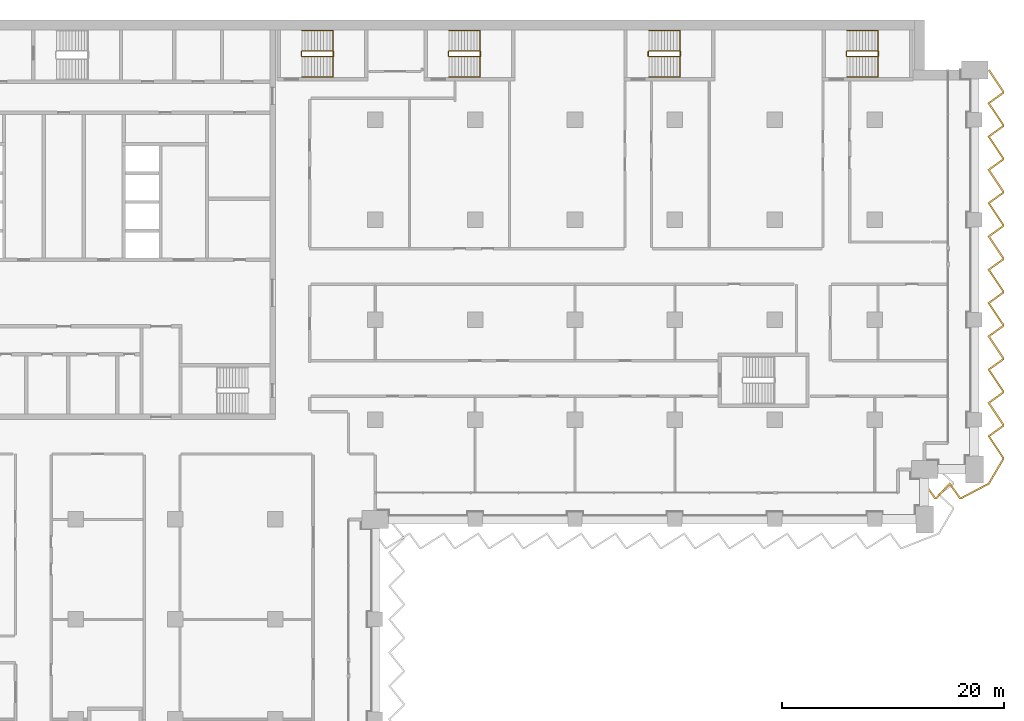
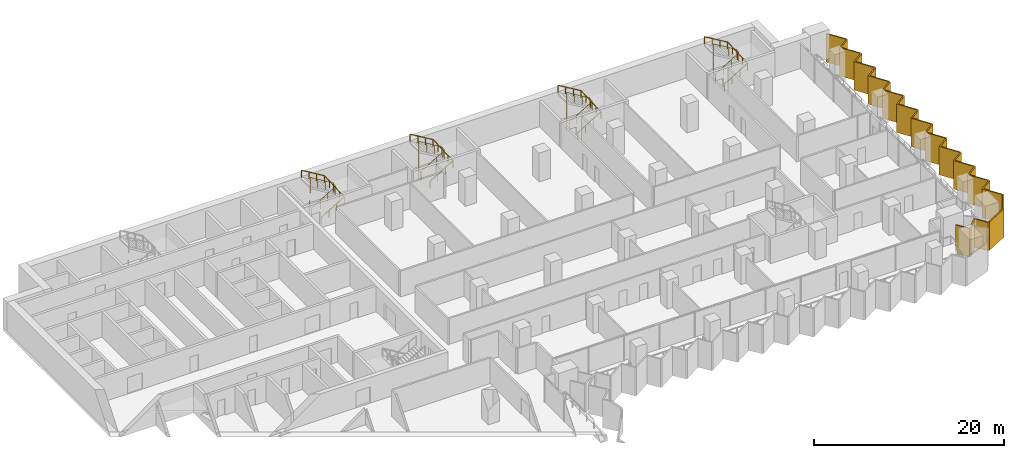
# One storey, part 27 of 28: 8 railings, 1 shading device.
"""IFC4 building model written with IfcOpenShell, lengths in metres."""

from ifc_helpers import new_model, si_unit, direction, frame, origin, origin_2d, place, context, subcontext, project, spatial, polyline, circle, outline, extrude, material, layer, layer_set, type_object, element, save


model = new_model("IFC4")

# Units and contexts
model_context = context("Model", 3, precision=1e-05, world=origin(), true_north=direction((0.0, 1.0)))
body_context = subcontext(model_context, "Body", "Model", "MODEL_VIEW")
ifc_project = project(units=[si_unit("LENGTHUNIT", "METRE"), si_unit("AREAUNIT", "SQUARE_METRE"), si_unit("VOLUMEUNIT", "CUBIC_METRE"), si_unit("PLANEANGLEUNIT", "RADIAN"), si_unit("MASSUNIT", "GRAM", prefix="KILO")], contexts=[model_context])

# Site, building, storey
site_placement = place(None, origin())
site = spatial("IfcSite", under=ifc_project, at=site_placement, CompositionType="ELEMENT")
building_placement = place(site_placement, origin())
building = spatial("IfcBuilding", under=site, at=building_placement, Name="Hunhe Ridgeline Campus", CompositionType="ELEMENT")
storey_placement = place(building_placement, frame((0.0, 0.0, 72.800048828125)))
storey = spatial("IfcBuildingStorey", under=building, at=storey_placement, Name="L17", CompositionType="ELEMENT", Elevation=72.800048828125)

# Shading device
ifc_material_1 = material(Name="Concrete C50", Category="concrete")
ifc_layer = layer(ifc_material_1, 0.14990234375)
ifc_layer_set = layer_set([ifc_layer], Name="Sawtooth concrete fin 150 Concrete C50")
shading_device_type = type_object("IfcShadingDeviceType", Name="Sawtooth concrete fin 150 Concrete C50", PredefinedType="USERDEFINED", material=ifc_layer_set)
shading_device_placement = place(storey_placement, frame((0.0, 0.0, -0.949951171875)))
element("IfcShadingDevice", 1, at=shading_device_placement, inside=storey, type_object=shading_device_type, Name="Concrete fin screen 3", ObjectType="FIN", PredefinedType="USERDEFINED", context=body_context, shape_type="SweptSolid", body=[
    extrude(outline(polyline([(94.560791015625, 57.268798828125), (94.439208984375, 57.18115234375), (95.396484375, 55.85009765625), (95.587890625, 55.85009765625), (96.742919921875, 57.1064453125), (97.646484375, 55.85009765625), (97.823486328125, 55.85009765625), (100.328857421875, 57.16845703125), (101.64990234375, 59.41455078125), (101.64990234375, 59.577880859375), (100.377685546875, 61.4814453125), (101.64990234375, 62.396484375), (101.64990234375, 62.577880859375), (100.377685546875, 64.4814453125), (101.64990234375, 65.396484375), (101.64990234375, 65.577880859375), (100.377685546875, 67.4814453125), (101.64990234375, 68.396484375), (101.64990234375, 68.577880859375), (100.377685546875, 70.4814453125), (101.64990234375, 71.396484375), (101.64990234375, 71.577880859375), (100.377685546875, 73.4814453125), (101.64990234375, 74.396484375), (101.64990234375, 74.577880859375), (100.377685546875, 76.4814453125), (101.64990234375, 77.396484375), (101.64990234375, 77.577880859375), (100.377685546875, 79.4814453125), (101.64990234375, 80.396484375), (101.64990234375, 80.577880859375), (100.377685546875, 82.4814453125), (101.64990234375, 83.396484375), (101.64990234375, 83.577880859375), (100.377685546875, 85.4814453125), (101.64990234375, 86.396484375), (101.64990234375, 86.577880859375), (100.377685546875, 88.4814453125), (101.64990234375, 89.396484375), (101.64990234375, 89.577880859375), (100.377685546875, 91.4814453125), (101.64990234375, 92.396484375), (101.64990234375, 92.577880859375), (100.33740234375, 94.541748046875), (100.212646484375, 94.458251953125), (101.5, 92.5322265625), (101.5, 92.473388671875), (100.17236328125, 91.5185546875), (101.5, 89.5322265625), (101.5, 89.473388671875), (100.17236328125, 88.5185546875), (101.5, 86.5322265625), (101.5, 86.473388671875), (100.17236328125, 85.5185546875), (101.5, 83.5322265625), (101.5, 83.473388671875), (100.17236328125, 82.5185546875), (101.5, 80.5322265625), (101.5, 80.473388671875), (100.17236328125, 79.5185546875), (101.5, 77.5322265625), (101.5, 77.473388671875), (100.17236328125, 76.5185546875), (101.5, 74.5322265625), (101.5, 74.473388671875), (100.17236328125, 73.5185546875), (101.5, 71.5322265625), (101.5, 71.473388671875), (100.17236328125, 70.5185546875), (101.5, 68.5322265625), (101.5, 68.473388671875), (100.17236328125, 67.5185546875), (101.5, 65.5322265625), (101.5, 65.473388671875), (100.17236328125, 64.5185546875), (101.5, 62.5322265625), (101.5, 62.473388671875), (100.17236328125, 61.5185546875), (101.5, 59.5322265625), (101.5, 59.455322265625), (100.22119140625, 57.281494140625), (97.786376953125, 56.0), (97.723388671875, 56.0), (96.757080078125, 57.343505859375), (95.52197265625, 56.0), (95.473388671875, 56.0), (94.560791015625, 57.268798828125)])), origin(), (0.0, 0.0, 1.0), 3.64990234375),
])

# Railings
ifc_material_2 = material(Name="Stainless steel balustrade", Category="steel")
railing_type_1 = type_object("IfcRailingType", Name="Stair guard 1100 stainless", PredefinedType="GUARDRAIL", material=ifc_material_2)
railing_1_placement = place(storey_placement, frame((38.39990234375, 95.699951171875, 0.168212890625)))
element("IfcRailing", 2, at=railing_1_placement, inside=storey, type_object=railing_type_1, Name="L17 stair E1 guard", PredefinedType="GUARDRAIL", context=body_context, shape_type="SweptSolid", body=[
    extrude(circle(Radius=0.02392578125, at=origin_2d()), frame((0.0, 0.0, 1.076171875), z_axis=(0.857275202839, 0.0, 0.514858452973), x_axis=(0.0, 1.0, 0.0)), (0.0, 0.0, 1.0), 3.26611328125),
    extrude(circle(Radius=0.02392578125, at=origin_2d()), frame((2.800048828125, 0.0, 2.7578125), z_axis=(0.707106781187, 0.707106781187, 0.0), x_axis=(-0.707106781187, 0.707106781187, 0.0)), (0.0, 0.0, 1.0), 0.07080078125),
    extrude(circle(Radius=0.02392578125, at=origin_2d()), frame((2.85009765625, 0.050048828125, 2.7578125), z_axis=(0.0, 1.0, 0.0), x_axis=(-1.0, 0.0, 0.0)), (0.0, 0.0, 1.0), 0.39990234375),
    extrude(circle(Radius=0.02392578125, at=origin_2d()), frame((2.85009765625, 0.449951171875, 2.7578125), z_axis=(-0.274243871929, 0.274243871929, 0.92172696468), x_axis=(-0.707106781187, -0.707106781187, 0.0)), (0.0, 0.0, 1.0), 0.1826171875),
    extrude(circle(Radius=0.02392578125, at=origin_2d()), frame((2.800048828125, 0.5, 2.92578125), z_axis=(-0.857242210791, 0.0, 0.514913383045), x_axis=(0.0, -1.0, 0.0)), (0.0, 0.0, 1.0), 3.266357421875),
    extrude(circle(Radius=0.02392578125, at=origin_2d()), frame((0.0, 0.5, 4.60791015625), z_axis=(-0.013458453615, -0.013524426427, -0.999817963389), x_axis=(0.708833529934, -0.705375805398, 0.0)), (0.0, 0.0, 1.0), 3.70068359375),
    extrude(circle(Radius=0.02392578125, at=origin_2d()), frame((-0.0498046875, 0.449951171875, 0.90771484375), z_axis=(0.0, -1.0, 0.0), x_axis=(1.0, 0.0, 0.0)), (0.0, 0.0, 1.0), 0.39990234375),
    extrude(circle(Radius=0.02099609375, at=origin_2d()), origin(), (0.0, 0.0, 1.0), 1.052001953125),
    extrude(circle(Radius=0.02099609375, at=origin_2d()), frame((0.933349609375, 0.0, 0.560546875)), (0.0, 0.0, 1.0), 1.052001953125),
    extrude(circle(Radius=0.02099609375, at=origin_2d()), frame((1.86669921875, 0.0, 1.12109375)), (0.0, 0.0, 1.0), 1.052001953125),
    extrude(circle(Radius=0.02099609375, at=origin_2d()), frame((2.800048828125, 0.0, 1.681640625)), (0.0, 0.0, 1.0), 1.052001953125),
    extrude(circle(Radius=0.02099609375, at=origin_2d()), frame((2.85009765625, 0.050048828125, 1.681640625)), (0.0, 0.0, 1.0), 1.052001953125),
    extrude(circle(Radius=0.02099609375, at=origin_2d()), frame((2.85009765625, 0.449951171875, 1.681640625)), (0.0, 0.0, 1.0), 1.052001953125),
    extrude(circle(Radius=0.02099609375, at=origin_2d()), frame((2.800048828125, 0.5, 1.849853515625)), (0.0, 0.0, 1.0), 1.052001953125),
    extrude(circle(Radius=0.02099609375, at=origin_2d()), frame((1.86669921875, 0.5, 2.410400390625)), (0.0, 0.0, 1.0), 1.052001953125),
    extrude(circle(Radius=0.02099609375, at=origin_2d()), frame((0.933349609375, 0.5, 2.97119140625)), (0.0, 0.0, 1.0), 1.052001953125),
    extrude(circle(Radius=0.02099609375, at=origin_2d()), frame((0.0, 0.5, 3.53173828125)), (0.0, 0.0, 1.0), 1.052001953125),
    extrude(circle(Radius=0.02099609375, at=origin_2d()), frame((-0.012451171875, 0.487548828125, 2.606689453125)), (0.0, 0.0, 1.0), 1.052001953125),
    extrude(circle(Radius=0.02099609375, at=origin_2d()), frame((-0.02490234375, 0.47509765625, 1.681640625)), (0.0, 0.0, 1.0), 1.052001953125),
    extrude(circle(Radius=0.02099609375, at=origin_2d()), frame((-0.037353515625, 0.46240234375, 0.7568359375)), (0.0, 0.0, 1.0), 1.052001953125),
    extrude(circle(Radius=0.02099609375, at=origin_2d()), frame((-0.0498046875, 0.449951171875, -0.168212890625)), (0.0, 0.0, 1.0), 1.052001953125),
    extrude(circle(Radius=0.02099609375, at=origin_2d()), frame((-0.0498046875, 0.050048828125, -0.168212890625)), (0.0, 0.0, 1.0), 1.052001953125),
])
railing_2_placement = place(storey_placement, frame((51.64990234375, 95.699951171875, 0.168212890625)))
element("IfcRailing", 3, at=railing_2_placement, inside=storey, type_object=railing_type_1, Name="L17 stair E2 guard", PredefinedType="GUARDRAIL", context=body_context, shape_type="SweptSolid", body=[
    extrude(circle(Radius=0.02392578125, at=origin_2d()), frame((0.0, 0.0, 1.076171875), z_axis=(0.857275202839, 0.0, 0.514858452973), x_axis=(0.0, 1.0, 0.0)), (0.0, 0.0, 1.0), 3.26611328125),
    extrude(circle(Radius=0.02392578125, at=origin_2d()), frame((2.800048828125, 0.0, 2.7578125), z_axis=(0.707106781187, 0.707106781187, 0.0), x_axis=(-0.707106781187, 0.707106781187, 0.0)), (0.0, 0.0, 1.0), 0.07080078125),
    extrude(circle(Radius=0.02392578125, at=origin_2d()), frame((2.85009765625, 0.050048828125, 2.7578125), z_axis=(0.0, 1.0, 0.0), x_axis=(-1.0, 0.0, 0.0)), (0.0, 0.0, 1.0), 0.39990234375),
    extrude(circle(Radius=0.02392578125, at=origin_2d()), frame((2.85009765625, 0.449951171875, 2.7578125), z_axis=(-0.274243871929, 0.274243871929, 0.92172696468), x_axis=(-0.707106781187, -0.707106781187, 0.0)), (0.0, 0.0, 1.0), 0.1826171875),
    extrude(circle(Radius=0.02392578125, at=origin_2d()), frame((2.800048828125, 0.5, 2.92578125), z_axis=(-0.857242210791, 0.0, 0.514913383045), x_axis=(0.0, -1.0, 0.0)), (0.0, 0.0, 1.0), 3.266357421875),
    extrude(circle(Radius=0.02392578125, at=origin_2d()), frame((0.0, 0.5, 4.60791015625), z_axis=(-0.013458453615, -0.013524426427, -0.999817963389), x_axis=(0.708833529934, -0.705375805398, 0.0)), (0.0, 0.0, 1.0), 3.70068359375),
    extrude(circle(Radius=0.02392578125, at=origin_2d()), frame((-0.0498046875, 0.449951171875, 0.90771484375), z_axis=(0.0, -1.0, 0.0), x_axis=(1.0, 0.0, 0.0)), (0.0, 0.0, 1.0), 0.39990234375),
    extrude(circle(Radius=0.02099609375, at=origin_2d()), origin(), (0.0, 0.0, 1.0), 1.052001953125),
    extrude(circle(Radius=0.02099609375, at=origin_2d()), frame((0.933349609375, 0.0, 0.560546875)), (0.0, 0.0, 1.0), 1.052001953125),
    extrude(circle(Radius=0.02099609375, at=origin_2d()), frame((1.86669921875, 0.0, 1.12109375)), (0.0, 0.0, 1.0), 1.052001953125),
    extrude(circle(Radius=0.02099609375, at=origin_2d()), frame((2.800048828125, 0.0, 1.681640625)), (0.0, 0.0, 1.0), 1.052001953125),
    extrude(circle(Radius=0.02099609375, at=origin_2d()), frame((2.85009765625, 0.050048828125, 1.681640625)), (0.0, 0.0, 1.0), 1.052001953125),
    extrude(circle(Radius=0.02099609375, at=origin_2d()), frame((2.85009765625, 0.449951171875, 1.681640625)), (0.0, 0.0, 1.0), 1.052001953125),
    extrude(circle(Radius=0.02099609375, at=origin_2d()), frame((2.800048828125, 0.5, 1.849853515625)), (0.0, 0.0, 1.0), 1.052001953125),
    extrude(circle(Radius=0.02099609375, at=origin_2d()), frame((1.86669921875, 0.5, 2.410400390625)), (0.0, 0.0, 1.0), 1.052001953125),
    extrude(circle(Radius=0.02099609375, at=origin_2d()), frame((0.933349609375, 0.5, 2.97119140625)), (0.0, 0.0, 1.0), 1.052001953125),
    extrude(circle(Radius=0.02099609375, at=origin_2d()), frame((0.0, 0.5, 3.53173828125)), (0.0, 0.0, 1.0), 1.052001953125),
    extrude(circle(Radius=0.02099609375, at=origin_2d()), frame((-0.012451171875, 0.487548828125, 2.606689453125)), (0.0, 0.0, 1.0), 1.052001953125),
    extrude(circle(Radius=0.02099609375, at=origin_2d()), frame((-0.02490234375, 0.47509765625, 1.681640625)), (0.0, 0.0, 1.0), 1.052001953125),
    extrude(circle(Radius=0.02099609375, at=origin_2d()), frame((-0.037353515625, 0.46240234375, 0.7568359375)), (0.0, 0.0, 1.0), 1.052001953125),
    extrude(circle(Radius=0.02099609375, at=origin_2d()), frame((-0.0498046875, 0.449951171875, -0.168212890625)), (0.0, 0.0, 1.0), 1.052001953125),
    extrude(circle(Radius=0.02099609375, at=origin_2d()), frame((-0.0498046875, 0.050048828125, -0.168212890625)), (0.0, 0.0, 1.0), 1.052001953125),
])
railing_3_placement = place(storey_placement, frame((69.64990234375, 95.699951171875, 0.168212890625)))
element("IfcRailing", 4, at=railing_3_placement, inside=storey, type_object=railing_type_1, Name="L17 stair E3 guard", PredefinedType="GUARDRAIL", context=body_context, shape_type="SweptSolid", body=[
    extrude(circle(Radius=0.02392578125, at=origin_2d()), frame((0.0, 0.0, 1.076171875), z_axis=(0.857275202839, 0.0, 0.514858452973), x_axis=(0.0, 1.0, 0.0)), (0.0, 0.0, 1.0), 3.26611328125),
    extrude(circle(Radius=0.02392578125, at=origin_2d()), frame((2.800048828125, 0.0, 2.7578125), z_axis=(0.707106781187, 0.707106781187, 0.0), x_axis=(-0.707106781187, 0.707106781187, 0.0)), (0.0, 0.0, 1.0), 0.07080078125),
    extrude(circle(Radius=0.02392578125, at=origin_2d()), frame((2.85009765625, 0.050048828125, 2.7578125), z_axis=(0.0, 1.0, 0.0), x_axis=(-1.0, 0.0, 0.0)), (0.0, 0.0, 1.0), 0.39990234375),
    extrude(circle(Radius=0.02392578125, at=origin_2d()), frame((2.85009765625, 0.449951171875, 2.7578125), z_axis=(-0.274243871929, 0.274243871929, 0.92172696468), x_axis=(-0.707106781187, -0.707106781187, 0.0)), (0.0, 0.0, 1.0), 0.1826171875),
    extrude(circle(Radius=0.02392578125, at=origin_2d()), frame((2.800048828125, 0.5, 2.92578125), z_axis=(-0.857242210791, 0.0, 0.514913383045), x_axis=(0.0, -1.0, 0.0)), (0.0, 0.0, 1.0), 3.266357421875),
    extrude(circle(Radius=0.02392578125, at=origin_2d()), frame((0.0, 0.5, 4.60791015625), z_axis=(-0.013458453615, -0.013524426427, -0.999817963389), x_axis=(0.708833529934, -0.705375805398, 0.0)), (0.0, 0.0, 1.0), 3.70068359375),
    extrude(circle(Radius=0.02392578125, at=origin_2d()), frame((-0.0498046875, 0.449951171875, 0.90771484375), z_axis=(0.0, -1.0, 0.0), x_axis=(1.0, 0.0, 0.0)), (0.0, 0.0, 1.0), 0.39990234375),
    extrude(circle(Radius=0.02099609375, at=origin_2d()), origin(), (0.0, 0.0, 1.0), 1.052001953125),
    extrude(circle(Radius=0.02099609375, at=origin_2d()), frame((0.933349609375, 0.0, 0.560546875)), (0.0, 0.0, 1.0), 1.052001953125),
    extrude(circle(Radius=0.02099609375, at=origin_2d()), frame((1.86669921875, 0.0, 1.12109375)), (0.0, 0.0, 1.0), 1.052001953125),
    extrude(circle(Radius=0.02099609375, at=origin_2d()), frame((2.800048828125, 0.0, 1.681640625)), (0.0, 0.0, 1.0), 1.052001953125),
    extrude(circle(Radius=0.02099609375, at=origin_2d()), frame((2.85009765625, 0.050048828125, 1.681640625)), (0.0, 0.0, 1.0), 1.052001953125),
    extrude(circle(Radius=0.02099609375, at=origin_2d()), frame((2.85009765625, 0.449951171875, 1.681640625)), (0.0, 0.0, 1.0), 1.052001953125),
    extrude(circle(Radius=0.02099609375, at=origin_2d()), frame((2.800048828125, 0.5, 1.849853515625)), (0.0, 0.0, 1.0), 1.052001953125),
    extrude(circle(Radius=0.02099609375, at=origin_2d()), frame((1.86669921875, 0.5, 2.410400390625)), (0.0, 0.0, 1.0), 1.052001953125),
    extrude(circle(Radius=0.02099609375, at=origin_2d()), frame((0.933349609375, 0.5, 2.97119140625)), (0.0, 0.0, 1.0), 1.052001953125),
    extrude(circle(Radius=0.02099609375, at=origin_2d()), frame((0.0, 0.5, 3.53173828125)), (0.0, 0.0, 1.0), 1.052001953125),
    extrude(circle(Radius=0.02099609375, at=origin_2d()), frame((-0.012451171875, 0.487548828125, 2.606689453125)), (0.0, 0.0, 1.0), 1.052001953125),
    extrude(circle(Radius=0.02099609375, at=origin_2d()), frame((-0.02490234375, 0.47509765625, 1.681640625)), (0.0, 0.0, 1.0), 1.052001953125),
    extrude(circle(Radius=0.02099609375, at=origin_2d()), frame((-0.037353515625, 0.46240234375, 0.7568359375)), (0.0, 0.0, 1.0), 1.052001953125),
    extrude(circle(Radius=0.02099609375, at=origin_2d()), frame((-0.0498046875, 0.449951171875, -0.168212890625)), (0.0, 0.0, 1.0), 1.052001953125),
    extrude(circle(Radius=0.02099609375, at=origin_2d()), frame((-0.0498046875, 0.050048828125, -0.168212890625)), (0.0, 0.0, 1.0), 1.052001953125),
])
railing_4_placement = place(storey_placement, frame((87.5, 95.699951171875, 0.168212890625)))
element("IfcRailing", 5, at=railing_4_placement, inside=storey, type_object=railing_type_1, Name="L17 stair E4 guard", PredefinedType="GUARDRAIL", context=body_context, shape_type="SweptSolid", body=[
    extrude(circle(Radius=0.02392578125, at=origin_2d()), frame((0.0, 0.0, 1.076171875), z_axis=(0.857275202839, 0.0, 0.514858452973), x_axis=(0.0, 1.0, 0.0)), (0.0, 0.0, 1.0), 3.26611328125),
    extrude(circle(Radius=0.02392578125, at=origin_2d()), frame((2.800048828125, 0.0, 2.7578125), z_axis=(0.707106781187, 0.707106781187, 0.0), x_axis=(-0.707106781187, 0.707106781187, 0.0)), (0.0, 0.0, 1.0), 0.07080078125),
    extrude(circle(Radius=0.02392578125, at=origin_2d()), frame((2.85009765625, 0.050048828125, 2.7578125), z_axis=(0.0, 1.0, 0.0), x_axis=(-1.0, 0.0, 0.0)), (0.0, 0.0, 1.0), 0.39990234375),
    extrude(circle(Radius=0.02392578125, at=origin_2d()), frame((2.85009765625, 0.449951171875, 2.7578125), z_axis=(-0.274243871929, 0.274243871929, 0.92172696468), x_axis=(-0.707106781187, -0.707106781187, 0.0)), (0.0, 0.0, 1.0), 0.1826171875),
    extrude(circle(Radius=0.02392578125, at=origin_2d()), frame((2.800048828125, 0.5, 2.92578125), z_axis=(-0.857242210791, 0.0, 0.514913383045), x_axis=(0.0, -1.0, 0.0)), (0.0, 0.0, 1.0), 3.266357421875),
    extrude(circle(Radius=0.02392578125, at=origin_2d()), frame((0.0, 0.5, 4.60791015625), z_axis=(-0.013524414389, -0.013524414389, -0.999817073484), x_axis=(0.707106781187, -0.707106781187, 0.0)), (0.0, 0.0, 1.0), 3.70068359375),
    extrude(circle(Radius=0.02392578125, at=origin_2d()), frame((-0.050048828125, 0.449951171875, 0.90771484375), z_axis=(0.0, -1.0, 0.0), x_axis=(1.0, 0.0, 0.0)), (0.0, 0.0, 1.0), 0.39990234375),
    extrude(circle(Radius=0.02099609375, at=origin_2d()), origin(), (0.0, 0.0, 1.0), 1.052001953125),
    extrude(circle(Radius=0.02099609375, at=origin_2d()), frame((0.933349609375, 0.0, 0.560546875)), (0.0, 0.0, 1.0), 1.052001953125),
    extrude(circle(Radius=0.02099609375, at=origin_2d()), frame((1.86669921875, 0.0, 1.12109375)), (0.0, 0.0, 1.0), 1.052001953125),
    extrude(circle(Radius=0.02099609375, at=origin_2d()), frame((2.800048828125, 0.0, 1.681640625)), (0.0, 0.0, 1.0), 1.052001953125),
    extrude(circle(Radius=0.02099609375, at=origin_2d()), frame((2.85009765625, 0.050048828125, 1.681640625)), (0.0, 0.0, 1.0), 1.052001953125),
    extrude(circle(Radius=0.02099609375, at=origin_2d()), frame((2.85009765625, 0.449951171875, 1.681640625)), (0.0, 0.0, 1.0), 1.052001953125),
    extrude(circle(Radius=0.02099609375, at=origin_2d()), frame((2.800048828125, 0.5, 1.849853515625)), (0.0, 0.0, 1.0), 1.052001953125),
    extrude(circle(Radius=0.02099609375, at=origin_2d()), frame((1.86669921875, 0.5, 2.410400390625)), (0.0, 0.0, 1.0), 1.052001953125),
    extrude(circle(Radius=0.02099609375, at=origin_2d()), frame((0.933349609375, 0.5, 2.97119140625)), (0.0, 0.0, 1.0), 1.052001953125),
    extrude(circle(Radius=0.02099609375, at=origin_2d()), frame((0.0, 0.5, 3.53173828125)), (0.0, 0.0, 1.0), 1.052001953125),
    extrude(circle(Radius=0.02099609375, at=origin_2d()), frame((-0.012451171875, 0.487548828125, 2.606689453125)), (0.0, 0.0, 1.0), 1.052001953125),
    extrude(circle(Radius=0.02099609375, at=origin_2d()), frame((-0.02490234375, 0.47509765625, 1.681640625)), (0.0, 0.0, 1.0), 1.052001953125),
    extrude(circle(Radius=0.02099609375, at=origin_2d()), frame((-0.03759765625, 0.46240234375, 0.7568359375)), (0.0, 0.0, 1.0), 1.052001953125),
    extrude(circle(Radius=0.02099609375, at=origin_2d()), frame((-0.050048828125, 0.449951171875, -0.168212890625)), (0.0, 0.0, 1.0), 1.052001953125),
    extrude(circle(Radius=0.02099609375, at=origin_2d()), frame((-0.050048828125, 0.050048828125, -0.168212890625)), (0.0, 0.0, 1.0), 1.052001953125),
])
ifc_material_3 = material(Name="Stainless steel handrail", Category="steel")
railing_type_2 = type_object("IfcRailingType", Name="Stair handrail 900 stainless", PredefinedType="HANDRAIL", material=ifc_material_3)
railing_5_placement = place(storey_placement, frame((38.39990234375, 93.85009765625, 0.168212890625)))
element("IfcRailing", 6, at=railing_5_placement, inside=storey, type_object=railing_type_2, Name="L17 stair E1 handrail", PredefinedType="HANDRAIL", context=body_context, shape_type="SweptSolid", body=[
    extrude(circle(Radius=0.02392578125, at=origin_2d()), frame((0.0, 0.0, 0.8759765625), z_axis=(0.857275202839, 0.0, 0.514858452973), x_axis=(0.0, 1.0, 0.0)), (0.0, 0.0, 1.0), 3.26611328125),
    extrude(circle(Radius=0.02392578125, at=origin_2d()), frame((2.800048828125, 0.0, 2.5576171875), z_axis=(0.0, 0.999198916169, 0.040019069537), x_axis=(-1.0, 0.0, 0.0)), (0.0, 0.0, 1.0), 4.203369140625),
    extrude(circle(Radius=0.02392578125, at=origin_2d()), frame((2.800048828125, 4.199951171875, 2.7255859375), z_axis=(-0.857242210791, 0.0, 0.514913383045), x_axis=(0.0, -1.0, 0.0)), (0.0, 0.0, 1.0), 3.266357421875),
    extrude(circle(Radius=0.02099609375, at=origin_2d()), origin(), (0.0, 0.0, 1.0), 0.851806640625),
    extrude(circle(Radius=0.02099609375, at=origin_2d()), frame((0.933349609375, 0.0, 0.560546875)), (0.0, 0.0, 1.0), 0.851806640625),
    extrude(circle(Radius=0.02099609375, at=origin_2d()), frame((1.86669921875, 0.0, 1.12109375)), (0.0, 0.0, 1.0), 0.851806640625),
    extrude(circle(Radius=0.02099609375, at=origin_2d()), frame((2.800048828125, 0.0, 1.681640625)), (0.0, 0.0, 1.0), 0.851806640625),
    extrude(circle(Radius=0.02099609375, at=origin_2d()), frame((2.800048828125, 1.050048828125, 1.7236328125)), (0.0, 0.0, 1.0), 0.851806640625),
    extrude(circle(Radius=0.02099609375, at=origin_2d()), frame((2.800048828125, 2.10009765625, 1.765625)), (0.0, 0.0, 1.0), 0.851806640625),
    extrude(circle(Radius=0.02099609375, at=origin_2d()), frame((2.800048828125, 3.14990234375, 1.807861328125)), (0.0, 0.0, 1.0), 0.851806640625),
    extrude(circle(Radius=0.02099609375, at=origin_2d()), frame((2.800048828125, 4.199951171875, 1.849853515625)), (0.0, 0.0, 1.0), 0.851806640625),
    extrude(circle(Radius=0.02099609375, at=origin_2d()), frame((1.86669921875, 4.199951171875, 2.410400390625)), (0.0, 0.0, 1.0), 0.851806640625),
    extrude(circle(Radius=0.02099609375, at=origin_2d()), frame((0.933349609375, 4.199951171875, 2.97119140625)), (0.0, 0.0, 1.0), 0.851806640625),
    extrude(circle(Radius=0.02099609375, at=origin_2d()), frame((0.0, 4.199951171875, 3.53173828125)), (0.0, 0.0, 1.0), 0.851806640625),
])
railing_6_placement = place(storey_placement, frame((51.64990234375, 93.85009765625, 0.168212890625)))
element("IfcRailing", 7, at=railing_6_placement, inside=storey, type_object=railing_type_2, Name="L17 stair E2 handrail", PredefinedType="HANDRAIL", context=body_context, shape_type="SweptSolid", body=[
    extrude(circle(Radius=0.02392578125, at=origin_2d()), frame((0.0, 0.0, 0.8759765625), z_axis=(0.857275202839, 0.0, 0.514858452973), x_axis=(0.0, 1.0, 0.0)), (0.0, 0.0, 1.0), 3.26611328125),
    extrude(circle(Radius=0.02392578125, at=origin_2d()), frame((2.800048828125, 0.0, 2.5576171875), z_axis=(0.0, 0.999198916169, 0.040019069537), x_axis=(-1.0, 0.0, 0.0)), (0.0, 0.0, 1.0), 4.203369140625),
    extrude(circle(Radius=0.02392578125, at=origin_2d()), frame((2.800048828125, 4.199951171875, 2.7255859375), z_axis=(-0.857242210791, 0.0, 0.514913383045), x_axis=(0.0, -1.0, 0.0)), (0.0, 0.0, 1.0), 3.266357421875),
    extrude(circle(Radius=0.02099609375, at=origin_2d()), origin(), (0.0, 0.0, 1.0), 0.851806640625),
    extrude(circle(Radius=0.02099609375, at=origin_2d()), frame((0.933349609375, 0.0, 0.560546875)), (0.0, 0.0, 1.0), 0.851806640625),
    extrude(circle(Radius=0.02099609375, at=origin_2d()), frame((1.86669921875, 0.0, 1.12109375)), (0.0, 0.0, 1.0), 0.851806640625),
    extrude(circle(Radius=0.02099609375, at=origin_2d()), frame((2.800048828125, 0.0, 1.681640625)), (0.0, 0.0, 1.0), 0.851806640625),
    extrude(circle(Radius=0.02099609375, at=origin_2d()), frame((2.800048828125, 1.050048828125, 1.7236328125)), (0.0, 0.0, 1.0), 0.851806640625),
    extrude(circle(Radius=0.02099609375, at=origin_2d()), frame((2.800048828125, 2.10009765625, 1.765625)), (0.0, 0.0, 1.0), 0.851806640625),
    extrude(circle(Radius=0.02099609375, at=origin_2d()), frame((2.800048828125, 3.14990234375, 1.807861328125)), (0.0, 0.0, 1.0), 0.851806640625),
    extrude(circle(Radius=0.02099609375, at=origin_2d()), frame((2.800048828125, 4.199951171875, 1.849853515625)), (0.0, 0.0, 1.0), 0.851806640625),
    extrude(circle(Radius=0.02099609375, at=origin_2d()), frame((1.86669921875, 4.199951171875, 2.410400390625)), (0.0, 0.0, 1.0), 0.851806640625),
    extrude(circle(Radius=0.02099609375, at=origin_2d()), frame((0.933349609375, 4.199951171875, 2.97119140625)), (0.0, 0.0, 1.0), 0.851806640625),
    extrude(circle(Radius=0.02099609375, at=origin_2d()), frame((0.0, 4.199951171875, 3.53173828125)), (0.0, 0.0, 1.0), 0.851806640625),
])
railing_7_placement = place(storey_placement, frame((69.64990234375, 93.85009765625, 0.168212890625)))
element("IfcRailing", 8, at=railing_7_placement, inside=storey, type_object=railing_type_2, Name="L17 stair E3 handrail", PredefinedType="HANDRAIL", context=body_context, shape_type="SweptSolid", body=[
    extrude(circle(Radius=0.02392578125, at=origin_2d()), frame((0.0, 0.0, 0.8759765625), z_axis=(0.857275202839, 0.0, 0.514858452973), x_axis=(0.0, 1.0, 0.0)), (0.0, 0.0, 1.0), 3.26611328125),
    extrude(circle(Radius=0.02392578125, at=origin_2d()), frame((2.800048828125, 0.0, 2.5576171875), z_axis=(0.0, 0.999198916169, 0.040019069537), x_axis=(-1.0, 0.0, 0.0)), (0.0, 0.0, 1.0), 4.203369140625),
    extrude(circle(Radius=0.02392578125, at=origin_2d()), frame((2.800048828125, 4.199951171875, 2.7255859375), z_axis=(-0.857242210791, 0.0, 0.514913383045), x_axis=(0.0, -1.0, 0.0)), (0.0, 0.0, 1.0), 3.266357421875),
    extrude(circle(Radius=0.02099609375, at=origin_2d()), origin(), (0.0, 0.0, 1.0), 0.851806640625),
    extrude(circle(Radius=0.02099609375, at=origin_2d()), frame((0.933349609375, 0.0, 0.560546875)), (0.0, 0.0, 1.0), 0.851806640625),
    extrude(circle(Radius=0.02099609375, at=origin_2d()), frame((1.86669921875, 0.0, 1.12109375)), (0.0, 0.0, 1.0), 0.851806640625),
    extrude(circle(Radius=0.02099609375, at=origin_2d()), frame((2.800048828125, 0.0, 1.681640625)), (0.0, 0.0, 1.0), 0.851806640625),
    extrude(circle(Radius=0.02099609375, at=origin_2d()), frame((2.800048828125, 1.050048828125, 1.7236328125)), (0.0, 0.0, 1.0), 0.851806640625),
    extrude(circle(Radius=0.02099609375, at=origin_2d()), frame((2.800048828125, 2.10009765625, 1.765625)), (0.0, 0.0, 1.0), 0.851806640625),
    extrude(circle(Radius=0.02099609375, at=origin_2d()), frame((2.800048828125, 3.14990234375, 1.807861328125)), (0.0, 0.0, 1.0), 0.851806640625),
    extrude(circle(Radius=0.02099609375, at=origin_2d()), frame((2.800048828125, 4.199951171875, 1.849853515625)), (0.0, 0.0, 1.0), 0.851806640625),
    extrude(circle(Radius=0.02099609375, at=origin_2d()), frame((1.86669921875, 4.199951171875, 2.410400390625)), (0.0, 0.0, 1.0), 0.851806640625),
    extrude(circle(Radius=0.02099609375, at=origin_2d()), frame((0.933349609375, 4.199951171875, 2.97119140625)), (0.0, 0.0, 1.0), 0.851806640625),
    extrude(circle(Radius=0.02099609375, at=origin_2d()), frame((0.0, 4.199951171875, 3.53173828125)), (0.0, 0.0, 1.0), 0.851806640625),
])
railing_8_placement = place(storey_placement, frame((87.5, 93.85009765625, 0.168212890625)))
element("IfcRailing", 9, at=railing_8_placement, inside=storey, type_object=railing_type_2, Name="L17 stair E4 handrail", PredefinedType="HANDRAIL", context=body_context, shape_type="SweptSolid", body=[
    extrude(circle(Radius=0.02392578125, at=origin_2d()), frame((0.0, 0.0, 0.8759765625), z_axis=(0.857275202839, 0.0, 0.514858452973), x_axis=(0.0, 1.0, 0.0)), (0.0, 0.0, 1.0), 3.26611328125),
    extrude(circle(Radius=0.02392578125, at=origin_2d()), frame((2.800048828125, 0.0, 2.5576171875), z_axis=(0.0, 0.999198916169, 0.040019069537), x_axis=(-1.0, 0.0, 0.0)), (0.0, 0.0, 1.0), 4.203369140625),
    extrude(circle(Radius=0.02392578125, at=origin_2d()), frame((2.800048828125, 4.199951171875, 2.7255859375), z_axis=(-0.857242210791, 0.0, 0.514913383045), x_axis=(0.0, -1.0, 0.0)), (0.0, 0.0, 1.0), 3.266357421875),
    extrude(circle(Radius=0.02099609375, at=origin_2d()), origin(), (0.0, 0.0, 1.0), 0.851806640625),
    extrude(circle(Radius=0.02099609375, at=origin_2d()), frame((0.933349609375, 0.0, 0.560546875)), (0.0, 0.0, 1.0), 0.851806640625),
    extrude(circle(Radius=0.02099609375, at=origin_2d()), frame((1.86669921875, 0.0, 1.12109375)), (0.0, 0.0, 1.0), 0.851806640625),
    extrude(circle(Radius=0.02099609375, at=origin_2d()), frame((2.800048828125, 0.0, 1.681640625)), (0.0, 0.0, 1.0), 0.851806640625),
    extrude(circle(Radius=0.02099609375, at=origin_2d()), frame((2.800048828125, 1.050048828125, 1.7236328125)), (0.0, 0.0, 1.0), 0.851806640625),
    extrude(circle(Radius=0.02099609375, at=origin_2d()), frame((2.800048828125, 2.10009765625, 1.765625)), (0.0, 0.0, 1.0), 0.851806640625),
    extrude(circle(Radius=0.02099609375, at=origin_2d()), frame((2.800048828125, 3.14990234375, 1.807861328125)), (0.0, 0.0, 1.0), 0.851806640625),
    extrude(circle(Radius=0.02099609375, at=origin_2d()), frame((2.800048828125, 4.199951171875, 1.849853515625)), (0.0, 0.0, 1.0), 0.851806640625),
    extrude(circle(Radius=0.02099609375, at=origin_2d()), frame((1.86669921875, 4.199951171875, 2.410400390625)), (0.0, 0.0, 1.0), 0.851806640625),
    extrude(circle(Radius=0.02099609375, at=origin_2d()), frame((0.933349609375, 4.199951171875, 2.97119140625)), (0.0, 0.0, 1.0), 0.851806640625),
    extrude(circle(Radius=0.02099609375, at=origin_2d()), frame((0.0, 4.199951171875, 3.53173828125)), (0.0, 0.0, 1.0), 0.851806640625),
])

save(model, "model.ifc")
